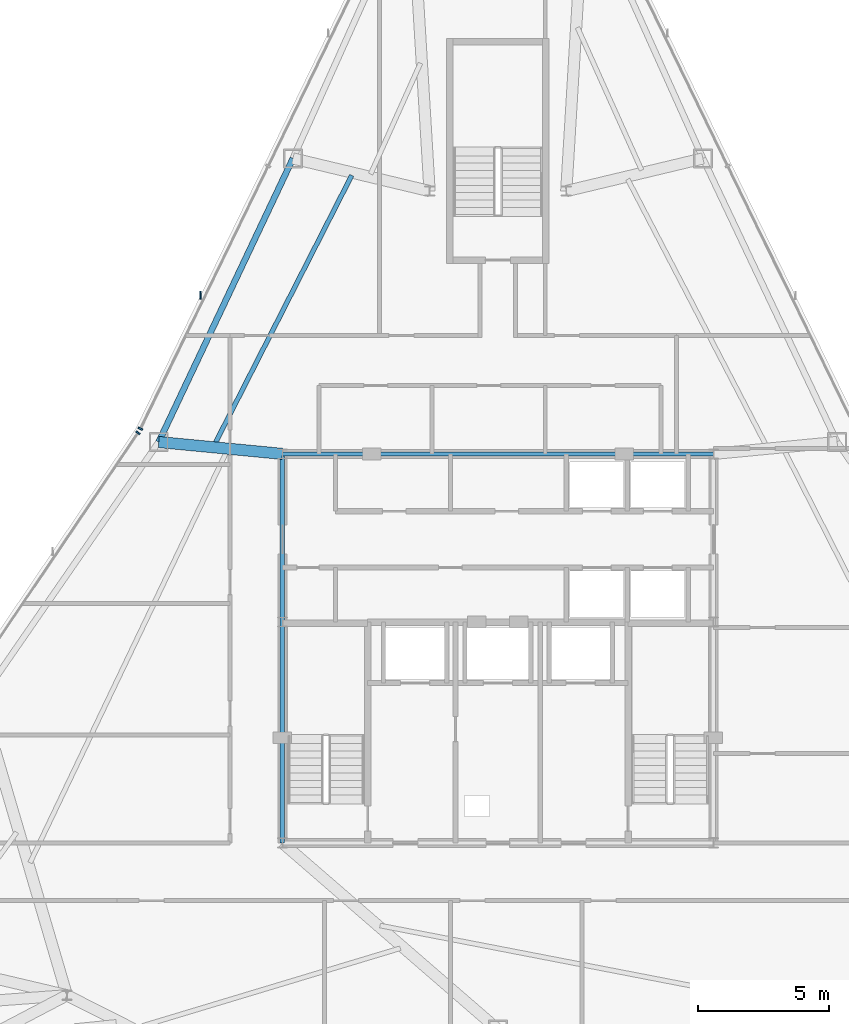
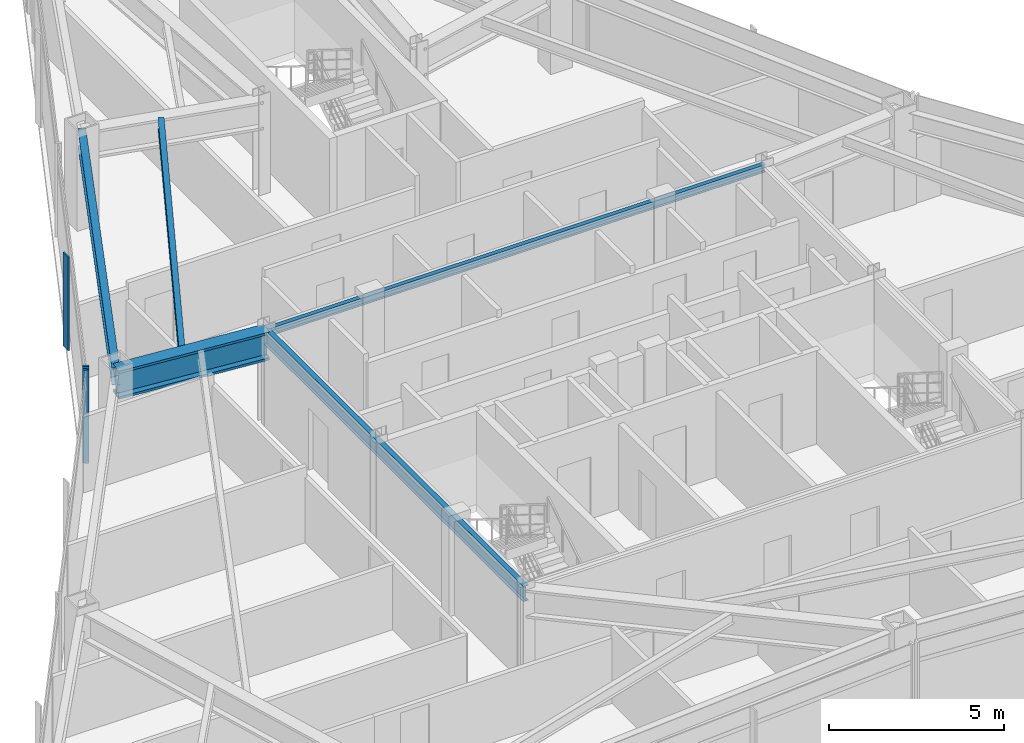
# One storey, part 5 of 12: 5 beams, 3 members, 2 elements without a shape of their own.
"""IFC4 building model written with IfcOpenShell, lengths in metres."""

import ifcopenshell
import ifcopenshell.guid

model = None  # the IFC model being written
_history = None  # IfcOwnerHistory: only IFC2X3 demands one
_inside = {}  # id of a spatial element -> (the spatial element, [elements in it])
_under = {}  # id of a project, library or spatial element -> (it, [spatial elements below it])
_declared = {}  # id of a project -> (the project, [libraries it declares])
_typed = {}  # id of a type object -> (the type object, [elements of that type])
_made_of = {}  # id of a material, layer set ... -> (it, [elements and type objects made of it])


def new_model(schema):
    """Start an empty IFC model of exactly this schema.

    Asked for "IFC4X3", IfcOpenShell would pick the latest addendum, in which some entities
    have other attributes; the version numbers below select the first issue.
    IFC2X3 requires an IfcOwnerHistory on every rooted entity: one is made here for all.
    """
    global model, _history
    if schema == "IFC4X3":
        model = ifcopenshell.file(schema_version=(4, 3, 0, 0))
    else:
        model = ifcopenshell.file(schema=schema)
    _inside.clear()
    _under.clear()
    _declared.clear()
    _typed.clear()
    _made_of.clear()
    _history = None
    if model.schema == "IFC2X3":
        org = make("IfcOrganization", Name="unknown")
        user = make(
            "IfcPersonAndOrganization",
            ThePerson=make("IfcPerson", FamilyName="unknown"),
            TheOrganization=org,
        )
        app = make(
            "IfcApplication",
            ApplicationDeveloper=org,
            Version="unknown",
            ApplicationFullName="unknown",
            ApplicationIdentifier="unknown",
        )
        _history = make(
            "IfcOwnerHistory",
            OwningUser=user,
            OwningApplication=app,
            ChangeAction="ADDED",
            CreationDate=0,
        )
    return model


def make(cls, **values):
    """One entity of the class cls with the attributes given. An attribute that is None is left unset."""
    return model.create_entity(
        cls, **{name: value for name, value in values.items() if value is not None}
    )


def rooted(cls, **values):
    """An entity with a GlobalId (a new one), such as an element, a storey or a relation."""
    return make(cls, GlobalId=ifcopenshell.guid.new(), OwnerHistory=_history, **values)


def si_unit(unit_type, name, prefix=None):
    """IfcSIUnit, for example si_unit("LENGTHUNIT", "METRE", prefix="MILLI")."""
    return make("IfcSIUnit", UnitType=unit_type, Prefix=prefix, Name=name)


def assignment(units):
    """IfcUnitAssignment: the units of a project."""
    return None if units is None else make("IfcUnitAssignment", Units=units)


def point(xyz):
    """IfcCartesianPoint."""
    return None if xyz is None else make("IfcCartesianPoint", Coordinates=xyz)


def direction(xyz):
    """IfcDirection."""
    return None if xyz is None else make("IfcDirection", DirectionRatios=xyz)


def frame(location, z_axis=None, x_axis=None):
    """IfcAxis2Placement3D, a coordinate frame: its origin and axes. An axis left out is left unset."""
    return make(
        "IfcAxis2Placement3D",
        Location=point(location),
        Axis=direction(z_axis),
        RefDirection=direction(x_axis),
    )


def frame_2d(location, x_axis=None):
    """IfcAxis2Placement2D, a coordinate frame in the plane: its origin and x axis."""
    return make(
        "IfcAxis2Placement2D", Location=point(location), RefDirection=direction(x_axis)
    )


def origin():
    """The frame at (0, 0, 0) with its axes left unset."""
    return frame((0.0, 0.0, 0.0))


def origin_2d():
    """The frame at (0, 0) in the plane with its x axis left unset."""
    return frame_2d((0.0, 0.0))


def place(relative_to, where):
    """IfcLocalPlacement: puts the frame where relative to a parent placement (None: the world)."""
    return make(
        "IfcLocalPlacement", PlacementRelTo=relative_to, RelativePlacement=where
    )


def context(
    kind, dimensions, precision=None, world=None, true_north=None, identifier=None
):
    """IfcGeometricRepresentationContext, for example the 3D "Model" context."""
    return make(
        "IfcGeometricRepresentationContext",
        ContextIdentifier=identifier,
        ContextType=kind,
        CoordinateSpaceDimension=dimensions,
        Precision=precision,
        WorldCoordinateSystem=world,
        TrueNorth=true_north,
    )


def subcontext(parent, identifier, kind, view, scale=None):
    """IfcGeometricRepresentationSubContext, for example "Body" below "Model"."""
    return make(
        "IfcGeometricRepresentationSubContext",
        ContextIdentifier=identifier,
        ContextType=kind,
        ParentContext=parent,
        TargetScale=scale,
        TargetView=view,
    )


def project(units=None, contexts=None):
    """IfcProject with its units and contexts."""
    return rooted(
        "IfcProject",
        Name="project",
        RepresentationContexts=contexts,
        UnitsInContext=assignment(units),
    )


def spatial(cls, under=None, at=None, **own):
    """A site, building, storey or space (cls), placed at a placement, below another one or the project."""
    s = rooted(cls, ObjectPlacement=at, **own)
    if under is not None:
        _under.setdefault(under.id(), (under, []))[1].append(s)
    return s


def profile(cls, at=None, kind="AREA", **sizes):
    """A parametric profile (cls). Its sizes go by their IFC names, for example OverallWidth=200.0."""
    return make(cls, ProfileType=kind, Position=at, **sizes)


def rectangle(**sizes):
    """IfcRectangleProfileDef."""
    return profile("IfcRectangleProfileDef", **sizes)


def i_section(**sizes):
    """IfcIShapeProfileDef."""
    return profile("IfcIShapeProfileDef", **sizes)


def extrude(swept, where, along, depth):
    """IfcExtrudedAreaSolid: the profile swept, set in the frame where, extruded along a direction by depth."""
    return make(
        "IfcExtrudedAreaSolid",
        SweptArea=swept,
        Position=where,
        ExtrudedDirection=direction(along),
        Depth=depth,
    )


def shape(context_of_items, identifier, shape_type, items):
    """IfcShapeRepresentation: the items that make up one representation, for example the "Body"."""
    return make(
        "IfcShapeRepresentation",
        ContextOfItems=context_of_items,
        RepresentationIdentifier=identifier,
        RepresentationType=shape_type,
        Items=items,
    )


def source(mapping_origin, context_of_items, identifier, shape_type, items):
    """IfcRepresentationMap: a shape defined once, which mapped items show again and again."""
    return make(
        "IfcRepresentationMap",
        MappingOrigin=mapping_origin,
        MappedRepresentation=shape(context_of_items, identifier, shape_type, items),
    )


def transform(
    local_origin,
    x_axis=None,
    y_axis=None,
    z_axis=None,
    scale=None,
    scale2=None,
    scale3=None,
    uniform=True,
):
    """IfcCartesianTransformationOperator3D, or its non-uniform kind. x_axis, y_axis, z_axis: its Axis1, 2, 3."""
    if uniform:
        return make(
            "IfcCartesianTransformationOperator3D",
            Axis1=direction(x_axis),
            Axis2=direction(y_axis),
            LocalOrigin=point(local_origin),
            Scale=scale,
            Axis3=direction(z_axis),
        )
    return make(
        "IfcCartesianTransformationOperator3DnonUniform",
        Axis1=direction(x_axis),
        Axis2=direction(y_axis),
        LocalOrigin=point(local_origin),
        Scale=scale,
        Axis3=direction(z_axis),
        Scale2=scale2,
        Scale3=scale3,
    )


def mapped(mapping_source, mapping_target):
    """IfcMappedItem: shows the shape of a source again, moved by a transform."""
    return make(
        "IfcMappedItem", MappingSource=mapping_source, MappingTarget=mapping_target
    )


def material(Name=None, Category=None):
    """IfcMaterial."""
    return make("IfcMaterial", Name=Name, Category=Category)


def layer(
    of_material, thickness, ventilated=None, Name=None, Category=None, Priority=None
):
    """IfcMaterialLayer: one layer of a wall or slab, of a material (None: an air gap)."""
    return make(
        "IfcMaterialLayer",
        Material=of_material,
        LayerThickness=thickness,
        IsVentilated=ventilated,
        Name=Name,
        Category=Category,
        Priority=Priority,
    )


def layer_set(layers, Name=None):
    """IfcMaterialLayerSet."""
    return make("IfcMaterialLayerSet", MaterialLayers=layers, LayerSetName=Name)


def material_profile(
    of_material, cross_section, Name=None, Category=None, Priority=None
):
    """IfcMaterialProfile: a cross section and its material."""
    return make(
        "IfcMaterialProfile",
        Name=Name,
        Material=of_material,
        Profile=cross_section,
        Priority=Priority,
        Category=Category,
    )


def profile_set(profiles, Name=None, composite=None):
    """IfcMaterialProfileSet."""
    return make(
        "IfcMaterialProfileSet",
        Name=Name,
        MaterialProfiles=profiles,
        CompositeProfile=composite,
    )


def made_of(thing, what):
    """Note that an element or type object is made of a material, layer set ...; save() writes the relation."""
    if what is not None:
        _made_of.setdefault(what.id(), (what, []))[1].append(thing)
    return thing


def type_object(cls, material=None, **own):
    """A type object (cls), such as IfcWallType, which elements share."""
    return made_of(rooted(cls, **own), material)


def type_shapes(of_type, sources):
    """Give a type object the sources (RepresentationMaps) that its elements show as mapped items."""
    of_type.RepresentationMaps = sources


def element(
    cls,
    number,
    at=None,
    inside=None,
    cuts=None,
    type_object=None,
    material=None,
    context=None,
    identifier="Body",
    shape_type=None,
    held_by="IfcProductDefinitionShape",
    body=None,
    shapes=None,
    **own,
):
    """One element of the class cls, such as IfcWall. Its Tag is "e" and its number.

    at: its placement. inside: the storey or other place that contains it. cuts: it is an
    opening in that element (IfcRelVoidsElement). A single representation is given by context,
    identifier, shape_type and body (its items); several are given by shapes. held_by: the class
    of the entity that holds the representations. save() writes the other relations.
    """
    e = rooted(cls, Tag="e%d" % number, ObjectPlacement=at, **own)
    if body is not None:
        shapes = [shape(context, identifier, shape_type, body)]
    if shapes is not None:
        e.Representation = make(held_by, Representations=shapes)
    if inside is not None:
        _inside.setdefault(inside.id(), (inside, []))[1].append(e)
    if cuts is not None:
        rooted(
            "IfcRelVoidsElement", RelatingBuildingElement=cuts, RelatedOpeningElement=e
        )
    if type_object is not None:
        _typed.setdefault(type_object.id(), (type_object, []))[1].append(e)
    return made_of(e, material)


def aggregate(whole, parts):
    """IfcRelAggregates: a whole, such as a stair, and the parts it consists of."""
    return rooted("IfcRelAggregates", RelatingObject=whole, RelatedObjects=parts)


def save(model, path):
    """Write the relations noted so far, then the file.

    IfcRelAggregates (storeys below a building ...), IfcRelContainedInSpatialStructure (elements
    in a storey), IfcRelDefinesByType, IfcRelAssociatesMaterial and IfcRelDeclares: one each for
    every whole, place, type object, material and project.
    """
    for whole, parts in _under.values():
        aggregate(whole, parts)
    for where, things in _inside.values():
        rooted(
            "IfcRelContainedInSpatialStructure",
            RelatedElements=things,
            RelatingStructure=where,
        )
    for kind, things in _typed.values():
        rooted("IfcRelDefinesByType", RelatedObjects=things, RelatingType=kind)
    for what, things in _made_of.values():
        rooted("IfcRelAssociatesMaterial", RelatedObjects=things, RelatingMaterial=what)
    for by, libraries in _declared.values():
        rooted("IfcRelDeclares", RelatingContext=by, RelatedDefinitions=libraries)
    model.write(path)


model = new_model("IFC4")

# Units and contexts
model_context = context("Model", 3, precision=1e-05, world=origin(), true_north=direction((0.0, 1.0)))
body_context = subcontext(model_context, "Body", "Model", "MODEL_VIEW")
ifc_project = project(units=[si_unit("LENGTHUNIT", "METRE"), si_unit("AREAUNIT", "SQUARE_METRE"), si_unit("VOLUMEUNIT", "CUBIC_METRE"), si_unit("PLANEANGLEUNIT", "RADIAN"), si_unit("MASSUNIT", "GRAM", prefix="KILO")], contexts=[model_context])

# Site, building, storey
site_placement = place(None, origin())
site = spatial("IfcSite", under=ifc_project, at=site_placement, CompositionType="ELEMENT")
building_placement = place(site_placement, origin())
building = spatial("IfcBuilding", under=site, at=building_placement, Name="Varakhsha Concourse Tower", CompositionType="ELEMENT")
storey_placement = place(building_placement, frame((0.0, 0.0, 211.89990234375)))
storey = spatial("IfcBuildingStorey", under=building, at=storey_placement, Name="L60", CompositionType="ELEMENT", Elevation=211.89990234375)

# Beams
ifc_material_1 = material(Name="Structural Steel ASTM A992 Grade 50", Category="steel")
ifc_material_profile_1 = material_profile(ifc_material_1, i_section(OverallWidth=0.177978515625, OverallDepth=0.406982421875, WebThickness=0.008056640625, FlangeThickness=0.012939453125, at=origin_2d()), Name="W16X40")
ifc_profile_set_1 = profile_set([ifc_material_profile_1], Name="Structural Steel ASTM A992 Grade 50")
beam_type_1 = type_object("IfcBeamType", Name="BM-JST-W16X40", PredefinedType="JOIST", material=ifc_profile_set_1)
beam_1_placement = place(storey_placement, frame((34.43798828125, 41.7978515625, 3.046630859375), z_axis=(-0.454162340778, -0.890918945931, 0.0), x_axis=(0.890918945931, -0.454162340778, 0.0)))
element("IfcBeam", 1, at=beam_1_placement, inside=storey, type_object=beam_type_1, Name="BM-TJST-L60-04", PredefinedType="JOIST", context=body_context, shape_type="SweptSolid", body=[
    extrude(i_section(OverallWidth=0.177978515625, OverallDepth=0.406982421875, WebThickness=0.008056640625, FlangeThickness=0.012939453125, at=origin_2d()), origin(), (0.0, 0.0, 1.0), 11.501708984375),
])
ifc_material_profile_2 = material_profile(ifc_material_1, i_section(OverallWidth=0.14697265625, OverallDepth=0.261962890625, WebThickness=0.007080078125, FlangeThickness=0.010986328125, at=origin_2d()), Name="W10X26")
ifc_profile_set_2 = profile_set([ifc_material_profile_2], Name="Structural Steel ASTM A992 Grade 50")
beam_type_2 = type_object("IfcBeamType", Name="BM-LNTL-W10X26", PredefinedType="LINTEL", material=ifc_profile_set_2)
beam_2_placement = place(storey_placement, frame((31.800048828125, 31.199951171875, 3.119140625), z_axis=(1.0, 0.0, 0.0), x_axis=(0.0, 1.0, 0.0)))
element("IfcBeam", 2, at=beam_2_placement, inside=storey, type_object=beam_type_2, Name="BM-TCORE-L60-CN", PredefinedType="LINTEL", context=body_context, shape_type="SweptSolid", body=[
    extrude(i_section(OverallWidth=0.14697265625, OverallDepth=0.261962890625, WebThickness=0.007080078125, FlangeThickness=0.010986328125, at=origin_2d()), origin(), (0.0, 0.0, 1.0), 16.39990234375),
])
ifc_material_profile_3 = material_profile(ifc_material_1, i_section(OverallWidth=0.1669921875, OverallDepth=0.534912109375, WebThickness=0.010009765625, FlangeThickness=0.01708984375, at=origin_2d()), Name="W21X57")
ifc_profile_set_3 = profile_set([ifc_material_profile_3], Name="Structural Steel ASTM A992 Grade 50")
beam_type_3 = type_object("IfcBeamType", Name="BM-RAD-W21X57", PredefinedType="BEAM", material=ifc_profile_set_3)
beam_3_placement = place(storey_placement, frame((31.800048828125, 16.39990234375, 2.982666015625), z_axis=(0.0, 1.0, 0.0), x_axis=(-1.0, 0.0, 0.0)))
element("IfcBeam", 3, at=beam_3_placement, inside=storey, type_object=beam_type_3, Name="BM-TCORE-L60-CW", PredefinedType="BEAM", context=body_context, shape_type="SweptSolid", body=[
    extrude(i_section(OverallWidth=0.1669921875, OverallDepth=0.534912109375, WebThickness=0.010009765625, FlangeThickness=0.01708984375, at=origin_2d()), origin(), (0.0, 0.0, 1.0), 14.800048828125),
])
ifc_material_profile_4 = material_profile(ifc_material_1, i_section(OverallWidth=0.22900390625, OverallDepth=0.612060546875, WebThickness=0.011962890625, FlangeThickness=0.02001953125, at=origin_2d()), Name="W24X84")
ifc_profile_set_4 = profile_set([ifc_material_profile_4], Name="Structural Steel ASTM A992 Grade 50")
beam_type_4 = type_object("IfcBeamType", Name="BM-SPAN-W24X84", PredefinedType="SPANDREL", material=ifc_profile_set_4)
beam_4_placement = place(storey_placement, frame((32.199951171875, 42.442626953125, 2.944091796875), z_axis=(-0.427721486509, -0.903910576318, 0.0), x_axis=(0.903910576318, -0.427721486509, 0.0)))
element("IfcBeam", 4, at=beam_4_placement, inside=storey, type_object=beam_type_4, Name="BM-SPAN-L60-04", PredefinedType="SPANDREL", context=body_context, shape_type="SweptSolid", body=[
    extrude(i_section(OverallWidth=0.22900390625, OverallDepth=0.612060546875, WebThickness=0.011962890625, FlangeThickness=0.02001953125, at=origin_2d()), origin(), (0.0, 0.0, 1.0), 11.938232421875),
])
ifc_material_profile_5 = material_profile(ifc_material_1, i_section(OverallWidth=0.427978515625, OverallDepth=0.97509765625, WebThickness=0.050048828125, FlangeThickness=0.0810546875, at=origin_2d()), Name="W36X395")
ifc_profile_set_5 = profile_set([ifc_material_profile_5], Name="Structural Steel ASTM A992 Grade 50")
beam_type_5 = type_object("IfcBeamType", Name="BM-XFER-W36X395", PredefinedType="USERDEFINED", material=ifc_profile_set_5)
beam_5_placement = place(storey_placement, frame((31.800048828125, 31.199951171875, 2.7626953125), z_axis=(-0.995426515274, 0.095530375746, 0.0), x_axis=(-0.095530375746, -0.995426515274, 0.0)))
element("IfcBeam", 5, at=beam_5_placement, inside=storey, type_object=beam_type_5, Name="L60 Radial Floor Girder 05", ObjectType="GIRDER", PredefinedType="USERDEFINED", context=body_context, shape_type="SweptSolid", body=[
    extrude(i_section(OverallWidth=0.427978515625, OverallDepth=0.97509765625, WebThickness=0.050048828125, FlangeThickness=0.0810546875, at=origin_2d()), origin(), (0.0, 0.0, 1.0), 4.72802734375),
])

# Curtain wall, member
ifc_material_2 = material(Name="Anodised Bronze Architectural Aluminium AA 6063-T6", Category="aluminium")
ifc_layer = layer(ifc_material_2, 0.199951171875, Name="CW-SYS-05")
ifc_layer_set = layer_set([ifc_layer], Name="Anodised Bronze Architectural Aluminium AA 6063-T6")
curtain_wall_type = type_object("IfcCurtainWallType", Name="CW-SYS-05", PredefinedType="NOTDEFINED", material=ifc_layer_set)
curtain_wall_1_placement = place(storey_placement, origin())
curtain_wall_1 = element("IfcCurtainWall", 6, at=curtain_wall_1_placement, inside=storey, type_object=curtain_wall_type, Name="L60 Crystal Curtain Wall F2", PredefinedType="NOTDEFINED")
ifc_material_profile_6 = material_profile(ifc_material_2, rectangle(XDim=0.06494140625, YDim=0.179931640625, at=origin_2d()), Name="CWM-180X65")
ifc_profile_set_6 = profile_set([ifc_material_profile_6], Name="Anodised Bronze Architectural Aluminium AA 6063-T6")
member_type_1 = type_object("IfcMemberType", Name="CWM-180X65", PredefinedType="MULLION", material=ifc_profile_set_6)
shared_shape_1 = source(origin(), body_context, "Body", "SweptSolid", [
    extrude(rectangle(XDim=0.06494140625, YDim=0.179931640625, at=origin_2d()), origin(), (0.0, 0.0, 1.0), 3.25),
])
type_shapes(member_type_1, [shared_shape_1])
member_1_placement = place(storey_placement, frame((26.396240234375, 32.159423828125, 0.0), z_axis=(0.0, 0.0, 1.0), x_axis=(0.437497178592, 0.899219783325, 0.0)))
member_1 = element("IfcMember", 7, at=member_1_placement, type_object=member_type_1, Name="CW-L60-F2 Mullion 00", PredefinedType="MULLION", context=body_context, shape_type="MappedRepresentation", body=[
    mapped(shared_shape_1, transform((0.0, 0.0, 0.0), scale=1.0)),
])

curtain_wall_2_placement = place(storey_placement, origin())
curtain_wall_2 = element("IfcCurtainWall", 8, at=curtain_wall_2_placement, inside=storey, type_object=curtain_wall_type, Name="L60 Crystal Curtain Wall F3", PredefinedType="NOTDEFINED")
member_2_placement = place(storey_placement, frame((26.30517578125, 32.001708984375, 0.0), z_axis=(0.0, 0.0, 1.0), x_axis=(0.559998586649, 0.828493562408, 0.0)))
member_2 = element("IfcMember", 9, at=member_2_placement, type_object=member_type_1, Name="CW-L60-F3 Mullion 02", PredefinedType="MULLION", context=body_context, shape_type="MappedRepresentation", body=[
    mapped(shared_shape_1, transform((0.0, 0.0, 0.0), scale=1.0)),
])
aggregate(curtain_wall_2, [member_2])

# Member
ifc_material_profile_7 = material_profile(ifc_material_2, rectangle(XDim=0.054931640625, YDim=0.300048828125, at=origin_2d()), Name="FIN-BRZ-300")
ifc_profile_set_7 = profile_set([ifc_material_profile_7], Name="Anodised Bronze Architectural Aluminium AA 6063-T6")
member_type_2 = type_object("IfcMemberType", Name="FIN-BRZ-300", PredefinedType="USERDEFINED", material=ifc_profile_set_7)
shared_shape_2 = source(origin(), body_context, "Body", "SweptSolid", [
    extrude(rectangle(XDim=0.054931640625, YDim=0.300048828125, at=origin_2d()), origin(), (0.0, 0.0, 1.0), 3.25),
])
type_shapes(member_type_2, [shared_shape_2])
member_3_placement = place(storey_placement, frame((28.679443359375, 37.2294921875, 0.0), z_axis=(0.0, 0.0, 1.0), x_axis=(1.0, 0.0, 0.0)))
member_3 = element("IfcMember", 10, at=member_3_placement, type_object=member_type_2, Name="L60 Anodised Bronze Solar Fin F2-1", ObjectType="SOLAR FIN", PredefinedType="USERDEFINED", context=body_context, shape_type="MappedRepresentation", body=[
    mapped(shared_shape_2, transform((0.0, 0.0, 0.0), scale=1.0)),
])

aggregate(curtain_wall_1, [member_1, member_3])

save(model, "model.ifc")
